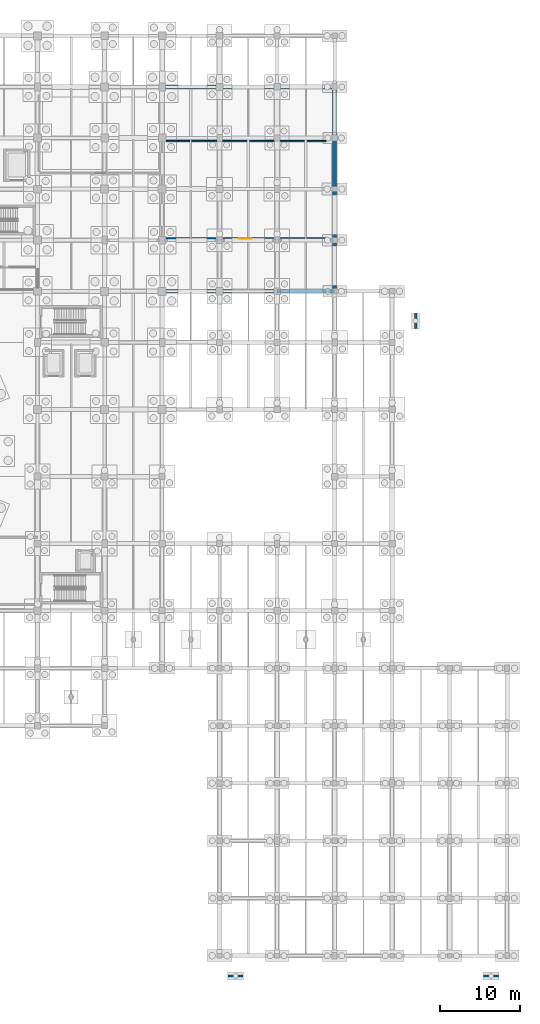
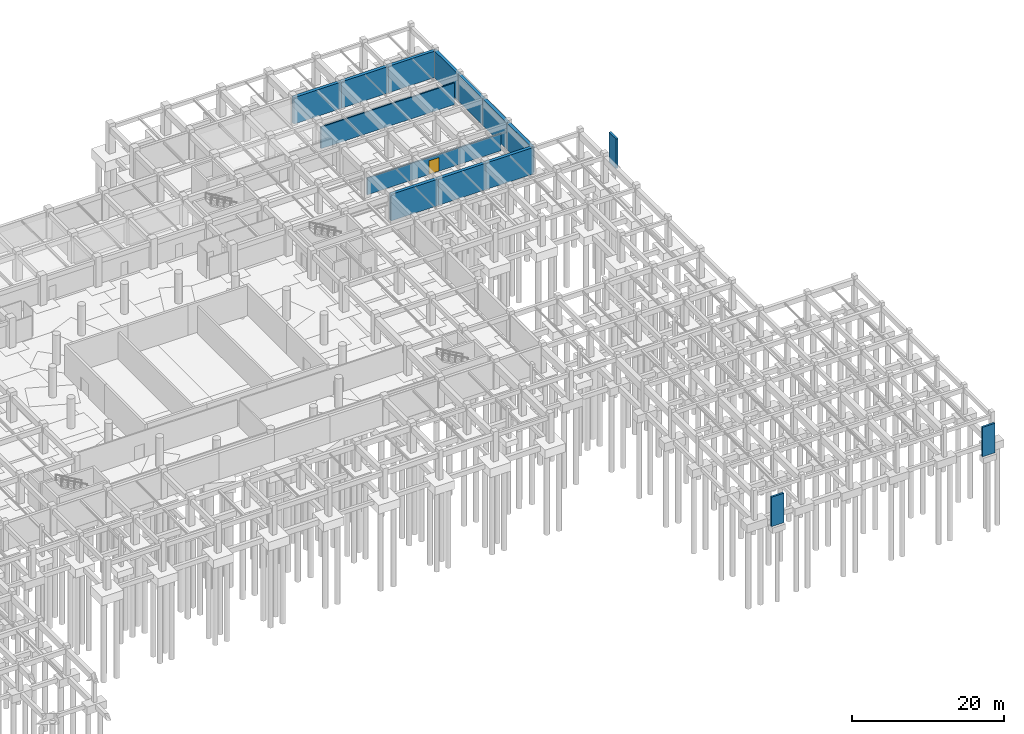
# One storey, part 35 of 44: 15 walls, 1 door, 1 opening.
"""IFC4 building model written with IfcOpenShell, lengths in metres."""

from ifc_helpers import new_model, si_unit, direction, frame, frame_2d, origin, place, context, subcontext, project, spatial, rectangle, extrude, material, layer, layer_set, type_object, element, fill, save


model = new_model("IFC4")

# Units and contexts
model_context = context("Model", 3, precision=1e-05, world=origin(), true_north=direction((0.0, 1.0)))
body_context = subcontext(model_context, "Body", "Model", "MODEL_VIEW")
ifc_project = project(units=[si_unit("LENGTHUNIT", "METRE"), si_unit("AREAUNIT", "SQUARE_METRE"), si_unit("VOLUMEUNIT", "CUBIC_METRE"), si_unit("PLANEANGLEUNIT", "RADIAN"), si_unit("MASSUNIT", "GRAM", prefix="KILO")], contexts=[model_context])

# Site, building, storey
site_placement = place(None, origin())
site = spatial("IfcSite", under=ifc_project, at=site_placement, CompositionType="ELEMENT")
building_placement = place(site_placement, origin())
building = spatial("IfcBuilding", under=site, at=building_placement, Name="Korsvaeld Concert Hall", CompositionType="ELEMENT")
storey_placement = place(building_placement, frame((0.0, 0.0, -4.800048828125)))
storey = spatial("IfcBuildingStorey", under=building, at=storey_placement, Name="B1", CompositionType="ELEMENT", Elevation=-4.800048828125)

# Walls
ifc_material_1 = material(Name="Concrete C35/45", Category="concrete")
ifc_layer_1 = layer(ifc_material_1, 0.47998046875)
ifc_layer_set_1 = layer_set([ifc_layer_1], Name="Concrete C35/45")
wall_type_1 = type_object("IfcWallType", Name="WL-B1-RET-480", PredefinedType="SOLIDWALL", material=ifc_layer_set_1)
for number, where, z_axis, x_axis, name in (
    (1, (124.800048828125, 108.800048828125, 0.0), (0.0, 0.0, 1.0), (1.0, 0.0, 0.0), "Exterior sandstone wall B1-038"),
    (2, (132.0, 108.800048828125, 0.0), (0.0, 0.0, 1.0), (1.0, 0.0, 0.0), "Exterior sandstone wall B1-039"),
    (3, (139.199951171875, 108.800048828125, 0.0), (0.0, 0.0, 1.0), (1.0, 0.0, 0.0), "Exterior sandstone wall B1-040"),
):
    element("IfcWall", number, at=place(storey_placement, frame(where, z_axis=z_axis, x_axis=x_axis)), inside=storey, type_object=wall_type_1, Name=name, PredefinedType="SOLIDWALL", context=body_context, shape_type="SweptSolid", body=[
        extrude(rectangle(XDim=7.199951171875, YDim=0.47998046875, at=frame_2d((3.60009765625, 0.0))), origin(), (0.0, 0.0, 1.0), 4.25),
    ])
wall_1_placement = place(storey_placement, frame((146.39990234375, 108.800048828125, 0.0), z_axis=(0.0, 0.0, 1.0), x_axis=(0.0, -1.0, 0.0)))
element("IfcWall", 4, at=wall_1_placement, inside=storey, type_object=wall_type_1, Name="Exterior sandstone wall B1-041", PredefinedType="SOLIDWALL", context=body_context, shape_type="SweptSolid", body=[
    extrude(rectangle(XDim=6.400146484375, YDim=0.47998046875, at=frame_2d((3.2001953125, 0.0))), origin(), (0.0, 0.0, 1.0), 4.25),
])
for number, where, z_axis, x_axis, name in (
    (5, (146.39990234375, 102.39990234375, 0.0), (0.0, 0.0, 1.0), (0.0, -1.0, 0.0), "Exterior sandstone wall B1-042"),
    (6, (146.39990234375, 96.0, 0.0), (0.0, 0.0, 1.0), (0.0, -1.0, 0.0), "Exterior sandstone wall B1-043"),
):
    element("IfcWall", number, at=place(storey_placement, frame(where, z_axis=z_axis, x_axis=x_axis)), inside=storey, type_object=wall_type_1, Name=name, PredefinedType="SOLIDWALL", context=body_context, shape_type="SweptSolid", body=[
        extrude(rectangle(XDim=6.39990234375, YDim=0.47998046875, at=frame_2d((3.199951171875, 0.0))), origin(), (0.0, 0.0, 1.0), 4.25),
    ])
wall_2_placement = place(storey_placement, frame((146.39990234375, 89.60009765625, 0.0), z_axis=(0.0, 0.0, 1.0), x_axis=(0.0, -1.0, 0.0)))
element("IfcWall", 7, at=wall_2_placement, inside=storey, type_object=wall_type_1, Name="Exterior sandstone wall B1-044", PredefinedType="SOLIDWALL", context=body_context, shape_type="SweptSolid", body=[
    extrude(rectangle(XDim=6.400146484375, YDim=0.47998046875, at=frame_2d((3.2001953125, 0.0))), origin(), (0.0, 0.0, 1.0), 4.25),
])
for number, where, z_axis, x_axis, name in (
    (8, (146.39990234375, 83.199951171875, 0.0), (0.0, 0.0, 1.0), (-1.0, 0.0, 0.0), "Exterior sandstone wall B1-045"),
    (9, (139.199951171875, 83.199951171875, 0.0), (0.0, 0.0, 1.0), (-1.0, 0.0, 0.0), "Exterior sandstone wall B1-046"),
    (10, (132.0, 83.199951171875, 0.0), (0.0, 0.0, 1.0), (-1.0, 0.0, 0.0), "Exterior sandstone wall B1-047"),
):
    element("IfcWall", number, at=place(storey_placement, frame(where, z_axis=z_axis, x_axis=x_axis)), inside=storey, type_object=wall_type_1, Name=name, PredefinedType="SOLIDWALL", context=body_context, shape_type="SweptSolid", body=[
        extrude(rectangle(XDim=7.199951171875, YDim=0.47998046875, at=frame_2d((3.60009765625, 0.0))), origin(), (0.0, 0.0, 1.0), 4.25),
    ])

# Wall, opening, door
ifc_material_2 = material(Name="Double acoustic gypsum fire compartment wall")
ifc_layer_2 = layer(ifc_material_2, 0.199951171875)
ifc_layer_set_2 = layer_set([ifc_layer_2], Name="Double acoustic gypsum fire compartment wall")
wall_type_2 = type_object("IfcWallType", Name="WL-FIRE-200", PredefinedType="PARTITIONING", material=ifc_layer_set_2)
wall_3_placement = place(storey_placement, frame((125.06005859375, 89.800048828125, 0.0), z_axis=(0.0, 0.0, 1.0), x_axis=(1.0, 0.0, 0.0)))
wall_3 = element("IfcWall", 11, at=wall_3_placement, inside=storey, type_object=wall_type_2, Name="Interior partition B1-02 S", PredefinedType="PARTITIONING", context=body_context, shape_type="SweptSolid", body=[
    extrude(rectangle(XDim=20.280029296875, YDim=0.199951171875, at=frame_2d((10.14013671875, 0.0))), origin(), (0.0, 0.0, 1.0), 2.705078125),
])
opening_placement = place(wall_3_placement, frame((9.389892578125, 0.0, 0.0)))
opening = element("IfcOpeningElement", 12, at=opening_placement, cuts=wall_3, Name="Opening FD-07", PredefinedType="OPENING", context=body_context, shape_type="SweptSolid", body=[
    extrude(rectangle(XDim=1.5, YDim=2.199951171875, at=frame_2d((0.75, 1.10009765625))), frame((0.0, 0.10986328125, 0.0), z_axis=(0.0, -1.0, 0.0), x_axis=(1.0, 0.0, 0.0)), (0.0, 0.0, 1.0), 0.219970703125),
])
ifc_material_3 = material(Name="Acoustic steel plant fire door", Category="steel")
door_type = type_object("IfcDoorType", Name="DR-FD-PLANT-150x220", OperationType="DOUBLE_DOOR_SINGLE_SWING", PredefinedType="DOOR", material=ifc_material_3)
door_placement = place(opening_placement, origin())
door = element("IfcDoor", 13, at=door_placement, inside=storey, type_object=door_type, Name="Covered Bicycle Hub East door B1-02", OperationType="DOUBLE_DOOR_SINGLE_SWING", OverallHeight=2.199951171875, OverallWidth=1.5, PredefinedType="DOOR", context=body_context, shape_type="SweptSolid", body=[
    extrude(rectangle(XDim=1.5, YDim=2.199951171875, at=frame_2d((0.75, 1.10009765625))), frame((0.0, 0.02490234375, 0.0), z_axis=(0.0, -1.0, 0.0), x_axis=(1.0, 0.0, 0.0)), (0.0, 0.0, 1.0), 0.050048828125),
])
fill(opening, door)

# Walls
wall_4_placement = place(storey_placement, frame((145.340087890625, 102.0, 0.0), z_axis=(0.0, 0.0, 1.0), x_axis=(-1.0, 0.0, 0.0)))
element("IfcWall", 14, at=wall_4_placement, inside=storey, type_object=wall_type_2, Name="Interior partition B1-02 N", PredefinedType="PARTITIONING", context=body_context, shape_type="SweptSolid", body=[
    extrude(rectangle(XDim=20.280029296875, YDim=0.199951171875, at=frame_2d((10.14013671875, 0.0))), origin(), (0.0, 0.0, 1.0), 3.47509765625),
])
ifc_material_4 = material(Name="Concrete C40/50", Category="concrete")
ifc_layer_3 = layer(ifc_material_4, 0.300048828125)
ifc_layer_set_3 = layer_set([ifc_layer_3], Name="Concrete C40/50")
wall_type_3 = type_object("IfcWallType", Name="WL-TIER-300", PredefinedType="SHEAR", material=ifc_layer_set_3)
for number, where, z_axis, x_axis, name in (
    (15, (133.06005859375, -2.5400390625, 0.0), (0.0, 0.0, 1.0), (1.0, 0.0, 0.0), "Ramp toe bearing sleeper wall RMP-SE1"),
    (16, (165.06005859375, -2.5400390625, 0.0), (0.0, 0.0, 1.0), (1.0, 0.0, 0.0), "Ramp toe bearing sleeper wall RMP-SE2"),
    (17, (156.5400390625, 78.56005859375, 0.0), (0.0, 0.0, 1.0), (0.0, 1.0, 0.0), "Ramp toe bearing sleeper wall RMP-E1"),
):
    element("IfcWall", number, at=place(storey_placement, frame(where, z_axis=z_axis, x_axis=x_axis)), inside=storey, type_object=wall_type_3, Name=name, PredefinedType="SHEAR", context=body_context, shape_type="SweptSolid", body=[
        extrude(rectangle(XDim=1.8798828125, YDim=0.300048828125, at=frame_2d((0.93994140625, 0.0))), origin(), (0.0, 0.0, 1.0), 4.739990234375),
    ])

save(model, "model.ifc")
